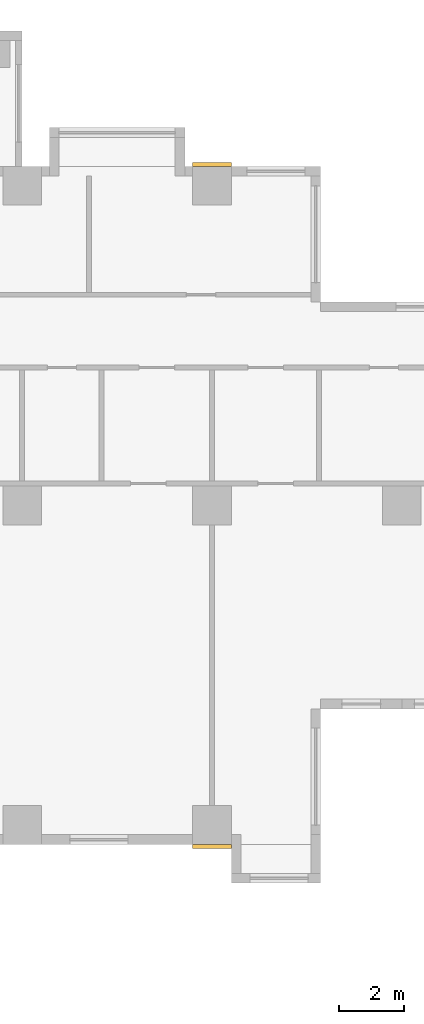
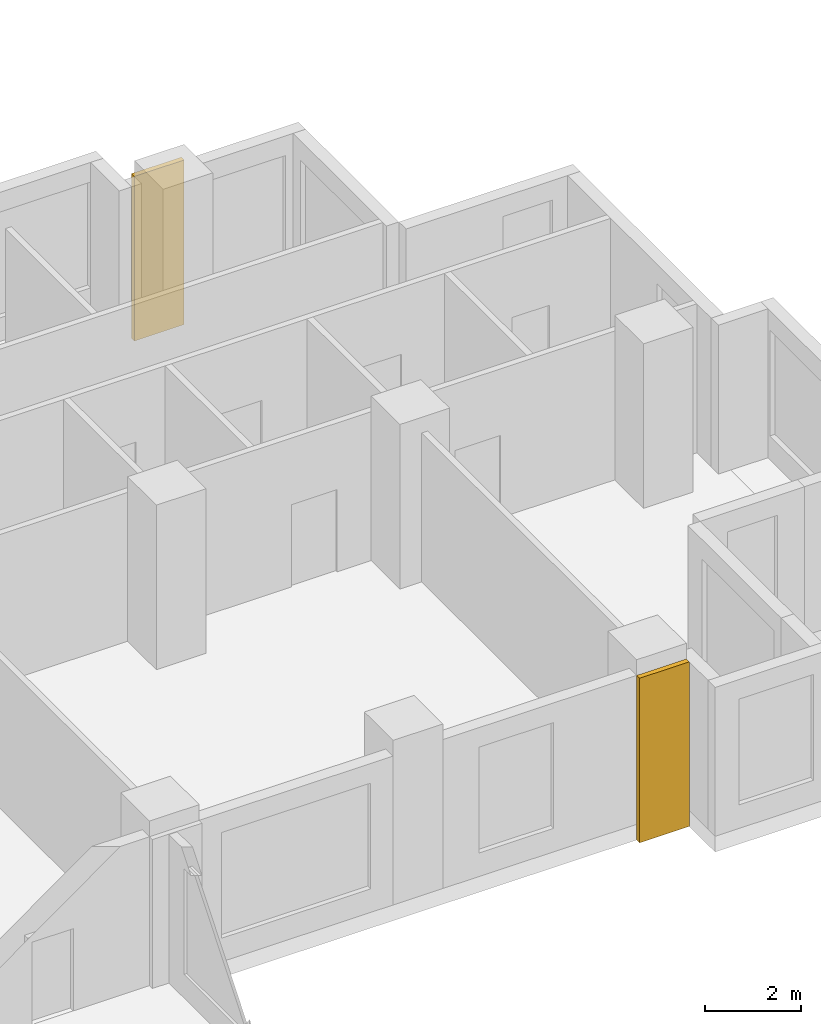
# One storey, part 14 of 14: 2 coverings.
"""IFC4 building model written with IfcOpenShell, lengths in metres."""

import ifcopenshell
import ifcopenshell.guid

model = None  # the IFC model being written
_history = None  # IfcOwnerHistory: only IFC2X3 demands one
_inside = {}  # id of a spatial element -> (the spatial element, [elements in it])
_under = {}  # id of a project, library or spatial element -> (it, [spatial elements below it])
_declared = {}  # id of a project -> (the project, [libraries it declares])
_typed = {}  # id of a type object -> (the type object, [elements of that type])
_made_of = {}  # id of a material, layer set ... -> (it, [elements and type objects made of it])


def new_model(schema):
    """Start an empty IFC model of exactly this schema.

    Asked for "IFC4X3", IfcOpenShell would pick the latest addendum, in which some entities
    have other attributes; the version numbers below select the first issue.
    IFC2X3 requires an IfcOwnerHistory on every rooted entity: one is made here for all.
    """
    global model, _history
    if schema == "IFC4X3":
        model = ifcopenshell.file(schema_version=(4, 3, 0, 0))
    else:
        model = ifcopenshell.file(schema=schema)
    _inside.clear()
    _under.clear()
    _declared.clear()
    _typed.clear()
    _made_of.clear()
    _history = None
    if model.schema == "IFC2X3":
        org = make("IfcOrganization", Name="unknown")
        user = make(
            "IfcPersonAndOrganization",
            ThePerson=make("IfcPerson", FamilyName="unknown"),
            TheOrganization=org,
        )
        app = make(
            "IfcApplication",
            ApplicationDeveloper=org,
            Version="unknown",
            ApplicationFullName="unknown",
            ApplicationIdentifier="unknown",
        )
        _history = make(
            "IfcOwnerHistory",
            OwningUser=user,
            OwningApplication=app,
            ChangeAction="ADDED",
            CreationDate=0,
        )
    return model


def make(cls, **values):
    """One entity of the class cls with the attributes given. An attribute that is None is left unset."""
    return model.create_entity(
        cls, **{name: value for name, value in values.items() if value is not None}
    )


def rooted(cls, **values):
    """An entity with a GlobalId (a new one), such as an element, a storey or a relation."""
    return make(cls, GlobalId=ifcopenshell.guid.new(), OwnerHistory=_history, **values)


def si_unit(unit_type, name, prefix=None):
    """IfcSIUnit, for example si_unit("LENGTHUNIT", "METRE", prefix="MILLI")."""
    return make("IfcSIUnit", UnitType=unit_type, Prefix=prefix, Name=name)


def assignment(units):
    """IfcUnitAssignment: the units of a project."""
    return None if units is None else make("IfcUnitAssignment", Units=units)


def point(xyz):
    """IfcCartesianPoint."""
    return None if xyz is None else make("IfcCartesianPoint", Coordinates=xyz)


def direction(xyz):
    """IfcDirection."""
    return None if xyz is None else make("IfcDirection", DirectionRatios=xyz)


def frame(location, z_axis=None, x_axis=None):
    """IfcAxis2Placement3D, a coordinate frame: its origin and axes. An axis left out is left unset."""
    return make(
        "IfcAxis2Placement3D",
        Location=point(location),
        Axis=direction(z_axis),
        RefDirection=direction(x_axis),
    )


def frame_2d(location, x_axis=None):
    """IfcAxis2Placement2D, a coordinate frame in the plane: its origin and x axis."""
    return make(
        "IfcAxis2Placement2D", Location=point(location), RefDirection=direction(x_axis)
    )


def origin():
    """The frame at (0, 0, 0) with its axes left unset."""
    return frame((0.0, 0.0, 0.0))


def origin_2d():
    """The frame at (0, 0) in the plane with its x axis left unset."""
    return frame_2d((0.0, 0.0))


def place(relative_to, where):
    """IfcLocalPlacement: puts the frame where relative to a parent placement (None: the world)."""
    return make(
        "IfcLocalPlacement", PlacementRelTo=relative_to, RelativePlacement=where
    )


def context(
    kind, dimensions, precision=None, world=None, true_north=None, identifier=None
):
    """IfcGeometricRepresentationContext, for example the 3D "Model" context."""
    return make(
        "IfcGeometricRepresentationContext",
        ContextIdentifier=identifier,
        ContextType=kind,
        CoordinateSpaceDimension=dimensions,
        Precision=precision,
        WorldCoordinateSystem=world,
        TrueNorth=true_north,
    )


def subcontext(parent, identifier, kind, view, scale=None):
    """IfcGeometricRepresentationSubContext, for example "Body" below "Model"."""
    return make(
        "IfcGeometricRepresentationSubContext",
        ContextIdentifier=identifier,
        ContextType=kind,
        ParentContext=parent,
        TargetScale=scale,
        TargetView=view,
    )


def project(units=None, contexts=None):
    """IfcProject with its units and contexts."""
    return rooted(
        "IfcProject",
        Name="project",
        RepresentationContexts=contexts,
        UnitsInContext=assignment(units),
    )


def spatial(cls, under=None, at=None, **own):
    """A site, building, storey or space (cls), placed at a placement, below another one or the project."""
    s = rooted(cls, ObjectPlacement=at, **own)
    if under is not None:
        _under.setdefault(under.id(), (under, []))[1].append(s)
    return s


def profile(cls, at=None, kind="AREA", **sizes):
    """A parametric profile (cls). Its sizes go by their IFC names, for example OverallWidth=200.0."""
    return make(cls, ProfileType=kind, Position=at, **sizes)


def rectangle(**sizes):
    """IfcRectangleProfileDef."""
    return profile("IfcRectangleProfileDef", **sizes)


def extrude(swept, where, along, depth):
    """IfcExtrudedAreaSolid: the profile swept, set in the frame where, extruded along a direction by depth."""
    return make(
        "IfcExtrudedAreaSolid",
        SweptArea=swept,
        Position=where,
        ExtrudedDirection=direction(along),
        Depth=depth,
    )


def shape(context_of_items, identifier, shape_type, items):
    """IfcShapeRepresentation: the items that make up one representation, for example the "Body"."""
    return make(
        "IfcShapeRepresentation",
        ContextOfItems=context_of_items,
        RepresentationIdentifier=identifier,
        RepresentationType=shape_type,
        Items=items,
    )


def source(mapping_origin, context_of_items, identifier, shape_type, items):
    """IfcRepresentationMap: a shape defined once, which mapped items show again and again."""
    return make(
        "IfcRepresentationMap",
        MappingOrigin=mapping_origin,
        MappedRepresentation=shape(context_of_items, identifier, shape_type, items),
    )


def transform(
    local_origin,
    x_axis=None,
    y_axis=None,
    z_axis=None,
    scale=None,
    scale2=None,
    scale3=None,
    uniform=True,
):
    """IfcCartesianTransformationOperator3D, or its non-uniform kind. x_axis, y_axis, z_axis: its Axis1, 2, 3."""
    if uniform:
        return make(
            "IfcCartesianTransformationOperator3D",
            Axis1=direction(x_axis),
            Axis2=direction(y_axis),
            LocalOrigin=point(local_origin),
            Scale=scale,
            Axis3=direction(z_axis),
        )
    return make(
        "IfcCartesianTransformationOperator3DnonUniform",
        Axis1=direction(x_axis),
        Axis2=direction(y_axis),
        LocalOrigin=point(local_origin),
        Scale=scale,
        Axis3=direction(z_axis),
        Scale2=scale2,
        Scale3=scale3,
    )


def mapped(mapping_source, mapping_target):
    """IfcMappedItem: shows the shape of a source again, moved by a transform."""
    return make(
        "IfcMappedItem", MappingSource=mapping_source, MappingTarget=mapping_target
    )


def material(Name=None, Category=None):
    """IfcMaterial."""
    return make("IfcMaterial", Name=Name, Category=Category)


def made_of(thing, what):
    """Note that an element or type object is made of a material, layer set ...; save() writes the relation."""
    if what is not None:
        _made_of.setdefault(what.id(), (what, []))[1].append(thing)
    return thing


def type_object(cls, material=None, **own):
    """A type object (cls), such as IfcWallType, which elements share."""
    return made_of(rooted(cls, **own), material)


def element(
    cls,
    number,
    at=None,
    inside=None,
    cuts=None,
    type_object=None,
    material=None,
    context=None,
    identifier="Body",
    shape_type=None,
    held_by="IfcProductDefinitionShape",
    body=None,
    shapes=None,
    **own,
):
    """One element of the class cls, such as IfcWall. Its Tag is "e" and its number.

    at: its placement. inside: the storey or other place that contains it. cuts: it is an
    opening in that element (IfcRelVoidsElement). A single representation is given by context,
    identifier, shape_type and body (its items); several are given by shapes. held_by: the class
    of the entity that holds the representations. save() writes the other relations.
    """
    e = rooted(cls, Tag="e%d" % number, ObjectPlacement=at, **own)
    if body is not None:
        shapes = [shape(context, identifier, shape_type, body)]
    if shapes is not None:
        e.Representation = make(held_by, Representations=shapes)
    if inside is not None:
        _inside.setdefault(inside.id(), (inside, []))[1].append(e)
    if cuts is not None:
        rooted(
            "IfcRelVoidsElement", RelatingBuildingElement=cuts, RelatedOpeningElement=e
        )
    if type_object is not None:
        _typed.setdefault(type_object.id(), (type_object, []))[1].append(e)
    return made_of(e, material)


def aggregate(whole, parts):
    """IfcRelAggregates: a whole, such as a stair, and the parts it consists of."""
    return rooted("IfcRelAggregates", RelatingObject=whole, RelatedObjects=parts)


def save(model, path):
    """Write the relations noted so far, then the file.

    IfcRelAggregates (storeys below a building ...), IfcRelContainedInSpatialStructure (elements
    in a storey), IfcRelDefinesByType, IfcRelAssociatesMaterial and IfcRelDeclares: one each for
    every whole, place, type object, material and project.
    """
    for whole, parts in _under.values():
        aggregate(whole, parts)
    for where, things in _inside.values():
        rooted(
            "IfcRelContainedInSpatialStructure",
            RelatedElements=things,
            RelatingStructure=where,
        )
    for kind, things in _typed.values():
        rooted("IfcRelDefinesByType", RelatedObjects=things, RelatingType=kind)
    for what, things in _made_of.values():
        rooted("IfcRelAssociatesMaterial", RelatedObjects=things, RelatingMaterial=what)
    for by, libraries in _declared.values():
        rooted("IfcRelDeclares", RelatingContext=by, RelatedDefinitions=libraries)
    model.write(path)


model = new_model("IFC4")

# Units and contexts
model_context = context("Model", 3, precision=1e-05, world=origin(), true_north=direction((0.0, 1.0)))
body_context = subcontext(model_context, "Body", "Model", "MODEL_VIEW")
ifc_project = project(units=[si_unit("LENGTHUNIT", "METRE"), si_unit("AREAUNIT", "SQUARE_METRE"), si_unit("VOLUMEUNIT", "CUBIC_METRE"), si_unit("PLANEANGLEUNIT", "RADIAN"), si_unit("MASSUNIT", "GRAM", prefix="KILO")], contexts=[model_context])

# Site, building, storey
site_placement = place(None, origin())
site = spatial("IfcSite", under=ifc_project, at=site_placement, CompositionType="ELEMENT")
building_placement = place(site_placement, origin())
building = spatial("IfcBuilding", under=site, at=building_placement, Name="Aurelian Terraces", CompositionType="ELEMENT")
storey_placement = place(building_placement, frame((0.0, 0.0, 57.3)))
storey = spatial("IfcBuildingStorey", under=building, at=storey_placement, Name="L11", CompositionType="ELEMENT", Elevation=57.3)

# Coverings
ifc_material = material(Name="Terracotta rainscreen cladding relief", Category="masonry")
covering_type = type_object("IfcCoveringType", Name="BAGUETTE-TC", PredefinedType="CLADDING", material=ifc_material)
shared_shape = source(origin(), body_context, "Body", "SweptSolid", [
    extrude(rectangle(XDim=1.2, YDim=0.12, at=origin_2d()), origin(), (0.0, 0.0, 1.0), 4.2),
])
for number, where, z_axis, x_axis, name in (
    (1, (63.84, -0.06, -0.4), (0.0, 0.0, 1.0), (1.0, 0.0, 0.0), "BAGUETTE pier L11 4"),
    (2, (63.84, 21.06, -0.4), (0.0, 0.0, 1.0), (1.0, 0.0, 0.0), "BAGUETTE pier L11 7"),
):
    element("IfcCovering", number, at=place(storey_placement, frame(where, z_axis=z_axis, x_axis=x_axis)), inside=storey, type_object=covering_type, Name=name, PredefinedType="CLADDING", context=body_context, shape_type="MappedRepresentation", body=[
        mapped(shared_shape, transform((0.0, 0.0, 0.0), scale=1.0)),
    ])

save(model, "model.ifc")
